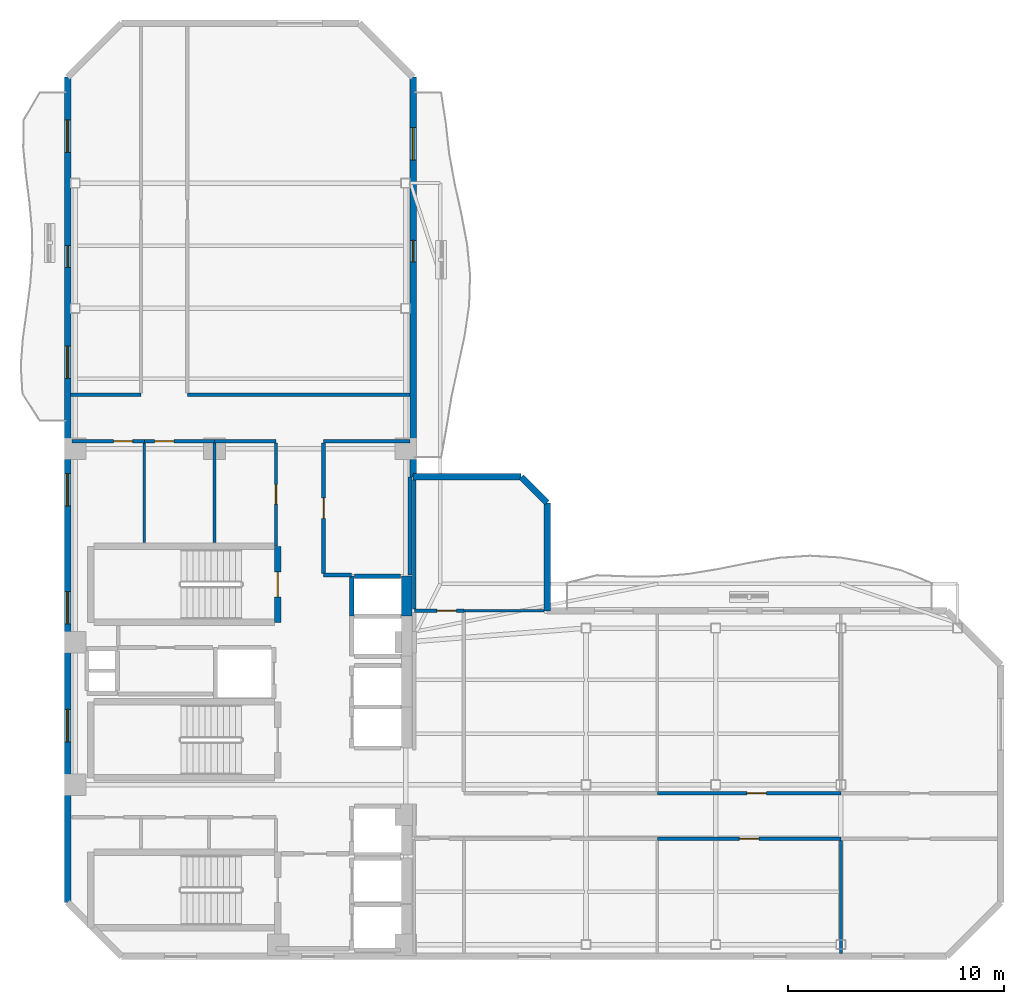
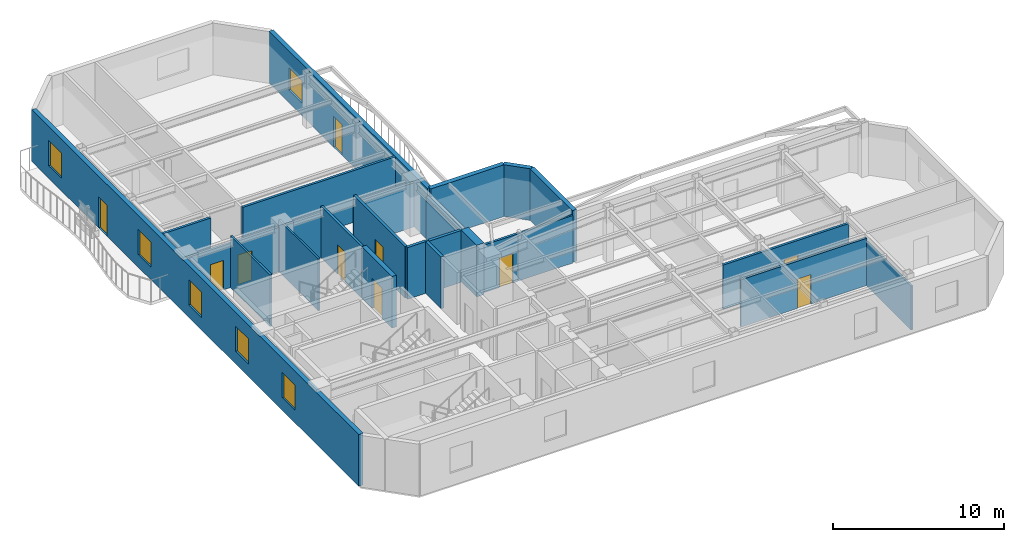
# One storey, part 4 of 8: 27 walls, 10 doors, 6 windows, 16 openings.
"""IFC4 building model written with IfcOpenShell, lengths in metres."""

from ifc_helpers import new_model, si_unit, direction, frame, frame_2d, origin, place, context, subcontext, project, spatial, rectangle, extrude, material, layer, layer_set, type_object, element, fill, save


model = new_model("IFC4")

# Units and contexts
model_context = context("Model", 3, precision=1e-05, world=origin(), true_north=direction((0.0, 1.0)))
body_context = subcontext(model_context, "Body", "Model", "MODEL_VIEW")
ifc_project = project(units=[si_unit("LENGTHUNIT", "METRE"), si_unit("AREAUNIT", "SQUARE_METRE"), si_unit("VOLUMEUNIT", "CUBIC_METRE"), si_unit("PLANEANGLEUNIT", "RADIAN"), si_unit("MASSUNIT", "GRAM", prefix="KILO")], contexts=[model_context])

# Site, building, storey
site_placement = place(None, origin())
site = spatial("IfcSite", under=ifc_project, at=site_placement, CompositionType="ELEMENT")
building_placement = place(site_placement, origin())
building = spatial("IfcBuilding", under=site, at=building_placement, Name="Mawjaban Terraces University", CompositionType="ELEMENT")
storey_placement = place(building_placement, frame((0.0, 0.0, 218.699951171875)))
storey = spatial("IfcBuildingStorey", under=building, at=storey_placement, Name="L53", CompositionType="ELEMENT", Elevation=218.699951171875)

# Walls
ifc_material_1 = material(Name="Acoustic masonry blockwork", Category="masonry")
ifc_layer_1 = layer(ifc_material_1, 0.179931640625)
ifc_layer_set_1 = layer_set([ifc_layer_1], Name="Acoustic masonry blockwork")
wall_type_1 = type_object("IfcWallType", Name="AcousticStudioWall_180", PredefinedType="PARTITIONING", material=ifc_layer_set_1)
wall_1_placement = place(storey_placement, frame((33.85009765625, 17.64990234375, 0.0), z_axis=(0.0, 0.0, 1.0), x_axis=(1.0, 0.0, 0.0)))
element("IfcWall", 1, at=wall_1_placement, inside=storey, type_object=wall_type_1, Name="L53 Graduate Research Collaboration Studio Partition 11", PredefinedType="PARTITIONING", context=body_context, shape_type="SweptSolid", body=[
    extrude(rectangle(XDim=1.2998046875, YDim=0.179931640625, at=frame_2d((0.64990234375, 0.0))), origin(), (0.0, 0.0, 1.0), 3.68994140625),
])
wall_2_placement = place(storey_placement, frame((37.85009765625, 23.85009765625, 0.0), z_axis=(0.0, 0.0, 1.0), x_axis=(-1.0, 0.0, 0.0)))
element("IfcWall", 2, at=wall_2_placement, inside=storey, type_object=wall_type_1, Name="L53 Graduate Research Collaboration Studio Partition 13", PredefinedType="PARTITIONING", context=body_context, shape_type="SweptSolid", body=[
    extrude(rectangle(XDim=4.0, YDim=0.179931640625, at=frame_2d((2.0, 0.0))), origin(), (0.0, 0.0, 1.0), 3.14599609375),
])

# Wall, opening, door
wall_3_placement = place(storey_placement, frame((33.85009765625, 17.735107421875, 0.0), z_axis=(0.0, 0.0, 1.0), x_axis=(0.0, 1.0, 0.0)))
wall_3 = element("IfcWall", 3, at=wall_3_placement, inside=storey, type_object=wall_type_1, Name="L53 Core North Lift Lobby Partition 33", PredefinedType="PARTITIONING", context=body_context, shape_type="SweptSolid", body=[
    extrude(rectangle(XDim=6.02978515625, YDim=0.179931640625, at=frame_2d((3.014892578125, 0.0))), origin(), (0.0, 0.0, 1.0), 3.68994140625),
])
opening_1_placement = place(wall_3_placement, frame((2.5400390625, 0.0, 0.0)))
opening_1 = element("IfcOpeningElement", 4, at=opening_1_placement, cuts=wall_3, Name="Opening ID-095", PredefinedType="OPENING", context=body_context, shape_type="SweptSolid", body=[
    extrude(rectangle(XDim=0.949951171875, YDim=2.10009765625, at=frame_2d((0.47509765625, 1.050048828125))), frame((0.0, 0.099853515625, 0.0), z_axis=(0.0, -1.0, 0.0), x_axis=(1.0, 0.0, 0.0)), (0.0, 0.0, 1.0), 0.199951171875),
])
ifc_material_2 = material(Name="Powder-coated steel frame and solid acoustic timber leaf", Category="steel")
door_type_1 = type_object("IfcDoorType", Name="StudioDoor_950x2100", OperationType="NOTDEFINED", PredefinedType="DOOR", material=ifc_material_2)
door_1_placement = place(opening_1_placement, origin())
door_1 = element("IfcDoor", 5, at=door_1_placement, inside=storey, type_object=door_type_1, Name="L53 Graduate Research Collaboration Studio Door", OperationType="SINGLE_SWING_LEFT", OverallHeight=2.10009765625, OverallWidth=0.949951171875, PredefinedType="DOOR", context=body_context, shape_type="SweptSolid", body=[
    extrude(rectangle(XDim=0.949951171875, YDim=2.10009765625, at=frame_2d((0.47509765625, 1.050048828125))), frame((0.0, 0.02490234375, 0.0), z_axis=(0.0, -1.0, 0.0), x_axis=(1.0, 0.0, 0.0)), (0.0, 0.0, 1.0), 0.050048828125),
])
fill(opening_1, door_1)

# Walls
wall_4_placement = place(storey_placement, frame((37.85009765625, 17.64990234375, 0.0), z_axis=(0.0, 0.0, 1.0), x_axis=(0.0, 1.0, 0.0)))
element("IfcWall", 6, at=wall_4_placement, inside=storey, type_object=wall_type_1, Name="L53 Graduate Research Collaboration Studio Partition 34", PredefinedType="PARTITIONING", context=body_context, shape_type="SweptSolid", body=[
    extrude(rectangle(XDim=4.550048828125, YDim=0.179931640625, at=frame_2d((2.27490234375, 0.0))), origin(), (0.0, 0.0, 1.0), 3.14599609375),
])
wall_5_placement = place(storey_placement, frame((38.050048828125, 22.054931640625, 0.0), z_axis=(0.0, 0.0, 1.0), x_axis=(0.0, -1.0, 0.0)))
element("IfcWall", 7, at=wall_5_placement, inside=storey, type_object=wall_type_1, Name="L53 Terrace Collaborative Study Room Partition 38", PredefinedType="PARTITIONING", context=body_context, shape_type="SweptSolid", body=[
    extrude(rectangle(XDim=5.97998046875, YDim=0.179931640625, at=frame_2d((2.989990234375, 0.0))), origin(), (0.0, 0.0, 1.0), 3.14599609375),
])
ifc_material_3 = material(Name="Concrete C60/75", Category="concrete")
ifc_layer_2 = layer(ifc_material_3, 0.5)
ifc_layer_set_2 = layer_set([ifc_layer_2], Name="Concrete C60/75")
wall_type_2 = type_object("IfcWallType", Name="CoreShearWall_500", PredefinedType="SHEAR", material=ifc_layer_set_2)
wall_6_placement = place(storey_placement, frame((37.699951171875, 15.75, 0.0), z_axis=(0.0, 0.0, 1.0), x_axis=(0.0, 1.0, 0.0)))
element("IfcWall", 8, at=wall_6_placement, inside=storey, type_object=wall_type_2, Name="L53 Lift OL-2 Hoistway Wall East", PredefinedType="SHEAR", context=body_context, shape_type="SweptSolid", body=[
    extrude(rectangle(XDim=1.85009765625, YDim=0.5, at=frame_2d((0.925048828125, 0.0))), origin(), (0.0, 0.0, 1.0), 3.68994140625),
])
ifc_material_4 = material(Name="Fire-rated gypsum board on steel stud", Category="steel")
ifc_layer_3 = layer(ifc_material_4, 0.159912109375)
ifc_layer_set_3 = layer_set([ifc_layer_3], Name="Fire-rated gypsum board on steel stud")
wall_type_3 = type_object("IfcWallType", Name="CorridorPartition_160", PredefinedType="PARTITIONING", material=ifc_layer_set_3)
wall_7_placement = place(storey_placement, frame((25.39990234375, 26.0, 0.0), z_axis=(0.0, 0.0, 1.0), x_axis=(-1.0, 0.0, 0.0)))
element("IfcWall", 9, at=wall_7_placement, inside=storey, type_object=wall_type_3, Name="L53 North Core Cross-Corridor Partition 5", PredefinedType="PARTITIONING", context=body_context, shape_type="SweptSolid", body=[
    extrude(rectangle(XDim=3.2548828125, YDim=0.159912109375, at=frame_2d((1.62744140625, 0.0))), origin(), (0.0, 0.0, 1.0), 3.68994140625),
])

# Wall, opening, door
wall_8_placement = place(storey_placement, frame((25.550048828125, 23.85009765625, 0.0), z_axis=(0.0, 0.0, 1.0), x_axis=(-1.0, 0.0, 0.0)))
wall_8 = element("IfcWall", 10, at=wall_8_placement, inside=storey, type_object=wall_type_3, Name="L53 Ablution Room Partition 6", PredefinedType="PARTITIONING", context=body_context, shape_type="SweptSolid", body=[
    extrude(rectangle(XDim=3.35009765625, YDim=0.159912109375, at=frame_2d((1.675048828125, 0.0))), origin(), (0.0, 0.0, 1.0), 3.14599609375),
])
opening_2_placement = place(wall_8_placement, frame((0.534912109375, 0.0, 0.0)))
opening_2 = element("IfcOpeningElement", 11, at=opening_2_placement, cuts=wall_8, Name="Opening ID-088", PredefinedType="OPENING", context=body_context, shape_type="SweptSolid", body=[
    extrude(rectangle(XDim=0.8798828125, YDim=2.10009765625, at=frame_2d((0.43994140625, 1.050048828125))), frame((0.0, 0.08984375, 0.0), z_axis=(0.0, -1.0, 0.0), x_axis=(1.0, 0.0, 0.0)), (0.0, 0.0, 1.0), 0.179931640625),
])
door_type_2 = type_object("IfcDoorType", Name="ToiletDoor_880x2100", OperationType="NOTDEFINED", PredefinedType="DOOR", material=ifc_material_2)
door_2_placement = place(opening_2_placement, origin())
door_2 = element("IfcDoor", 12, at=door_2_placement, inside=storey, type_object=door_type_2, Name="L53 Ablution Room Door", OperationType="SINGLE_SWING_LEFT", OverallHeight=2.10009765625, OverallWidth=0.8798828125, PredefinedType="DOOR", context=body_context, shape_type="SweptSolid", body=[
    extrude(rectangle(XDim=0.8798828125, YDim=2.10009765625, at=frame_2d((0.43994140625, 1.050048828125))), frame((0.0, 0.02490234375, 0.0), z_axis=(0.0, -1.0, 0.0), x_axis=(1.0, 0.0, 0.0)), (0.0, 0.0, 1.0), 0.050048828125),
])
fill(opening_2, door_2)

wall_9_placement = place(storey_placement, frame((28.800048828125, 23.85009765625, 0.0), z_axis=(0.0, 0.0, 1.0), x_axis=(-1.0, 0.0, 0.0)))
wall_9 = element("IfcWall", 13, at=wall_9_placement, inside=storey, type_object=wall_type_3, Name="L53 Cleaner Store Partition 8", PredefinedType="PARTITIONING", context=body_context, shape_type="SweptSolid", body=[
    extrude(rectangle(XDim=3.25, YDim=0.159912109375, at=frame_2d((1.625, 0.0))), origin(), (0.0, 0.0, 1.0), 3.14599609375),
])
opening_3_placement = place(wall_9_placement, frame((1.875, 0.0, 0.0)))
opening_3 = element("IfcOpeningElement", 14, at=opening_3_placement, cuts=wall_9, Name="Opening ID-090", PredefinedType="OPENING", context=body_context, shape_type="SweptSolid", body=[
    extrude(rectangle(XDim=0.89990234375, YDim=2.10009765625, at=frame_2d((0.449951171875, 1.050048828125))), frame((0.0, 0.08984375, 0.0), z_axis=(0.0, -1.0, 0.0), x_axis=(1.0, 0.0, 0.0)), (0.0, 0.0, 1.0), 0.179931640625),
])
door_type_3 = type_object("IfcDoorType", Name="OfficeDoor_900x2100", OperationType="NOTDEFINED", PredefinedType="DOOR", material=ifc_material_2)
door_3_placement = place(opening_3_placement, origin())
door_3 = element("IfcDoor", 15, at=door_3_placement, inside=storey, type_object=door_type_3, Name="L53 Cleaner Store Door", OperationType="SINGLE_SWING_RIGHT", OverallHeight=2.10009765625, OverallWidth=0.89990234375, PredefinedType="DOOR", context=body_context, shape_type="SweptSolid", body=[
    extrude(rectangle(XDim=0.89990234375, YDim=2.10009765625, at=frame_2d((0.449951171875, 1.050048828125))), frame((0.0, 0.02490234375, 0.0), z_axis=(0.0, -1.0, 0.0), x_axis=(1.0, 0.0, 0.0)), (0.0, 0.0, 1.0), 0.050048828125),
])
fill(opening_3, door_3)

# Walls
wall_10_placement = place(storey_placement, frame((31.64990234375, 23.85009765625, 0.0), z_axis=(0.0, 0.0, 1.0), x_axis=(-1.0, 0.0, 0.0)))
element("IfcWall", 16, at=wall_10_placement, inside=storey, type_object=wall_type_3, Name="L53 Faculty Academic Resource Office Partition 10", PredefinedType="PARTITIONING", context=body_context, shape_type="SweptSolid", body=[
    extrude(rectangle(XDim=2.849853515625, YDim=0.159912109375, at=frame_2d((1.4248046875, 0.0))), origin(), (0.0, 0.0, 1.0), 3.14599609375),
])
wall_11_placement = place(storey_placement, frame((37.85009765625, 26.0, 0.0), z_axis=(0.0, 0.0, 1.0), x_axis=(-1.0, 0.0, 0.0)))
element("IfcWall", 17, at=wall_11_placement, inside=storey, type_object=wall_type_3, Name="L53 North Core Cross-Corridor Partition 14", PredefinedType="PARTITIONING", context=body_context, shape_type="SweptSolid", body=[
    extrude(rectangle(XDim=10.300048828125, YDim=0.159912109375, at=frame_2d((5.14990234375, 0.0))), origin(), (0.0, 0.0, 1.0), 3.68994140625),
])

# Wall, opening, door
wall_12_placement = place(storey_placement, frame((40.35009765625, 16.0, 0.0), z_axis=(0.0, 0.0, 1.0), x_axis=(-1.0, 0.0, 0.0)))
wall_12 = element("IfcWall", 18, at=wall_12_placement, inside=storey, type_object=wall_type_3, Name="L53 South Spine Spur Link Partition 17", PredefinedType="PARTITIONING", context=body_context, shape_type="SweptSolid", body=[
    extrude(rectangle(XDim=2.300048828125, YDim=0.159912109375, at=frame_2d((1.14990234375, 0.0))), origin(), (0.0, 0.0, 1.0), 3.39013671875),
])
opening_4_placement = place(wall_12_placement, frame((0.35009765625, 0.0, 0.0)))
opening_4 = element("IfcOpeningElement", 19, at=opening_4_placement, cuts=wall_12, Name="Opening ID-090", PredefinedType="OPENING", context=body_context, shape_type="SweptSolid", body=[
    extrude(rectangle(XDim=0.89990234375, YDim=2.10009765625, at=frame_2d((0.449951171875, 1.050048828125))), frame((0.0, 0.08984375, 0.0), z_axis=(0.0, -1.0, 0.0), x_axis=(1.0, 0.0, 0.0)), (0.0, 0.0, 1.0), 0.179931640625),
])
door_4_placement = place(opening_4_placement, origin())
door_4 = element("IfcDoor", 20, at=door_4_placement, inside=storey, type_object=door_type_3, Name="L53 Terrace Collaborative Study Room Door", OperationType="SINGLE_SWING_RIGHT", OverallHeight=2.10009765625, OverallWidth=0.89990234375, PredefinedType="DOOR", context=body_context, shape_type="SweptSolid", body=[
    extrude(rectangle(XDim=0.89990234375, YDim=2.10009765625, at=frame_2d((0.449951171875, 1.050048828125))), frame((0.0, 0.02490234375, 0.0), z_axis=(0.0, -1.0, 0.0), x_axis=(1.0, 0.0, 0.0)), (0.0, 0.0, 1.0), 0.050048828125),
])
fill(opening_4, door_4)

wall_13_placement = place(storey_placement, frame((49.300048828125, 5.449951171875, 0.0), z_axis=(0.0, 0.0, 1.0), x_axis=(1.0, 0.0, 0.0)))
wall_13 = element("IfcWall", 21, at=wall_13_placement, inside=storey, type_object=wall_type_3, Name="L53 South Shifted Academic Corridor Partition 19", PredefinedType="PARTITIONING", context=body_context, shape_type="SweptSolid", body=[
    extrude(rectangle(XDim=8.5, YDim=0.159912109375, at=frame_2d((4.25, 0.0))), origin(), (0.0, 0.0, 1.0), 3.3720703125),
])
opening_5_placement = place(wall_13_placement, frame((3.800048828125, 0.0, 0.0)))
opening_5 = element("IfcOpeningElement", 22, at=opening_5_placement, cuts=wall_13, Name="Opening ID-090", PredefinedType="OPENING", context=body_context, shape_type="SweptSolid", body=[
    extrude(rectangle(XDim=0.89990234375, YDim=2.10009765625, at=frame_2d((0.449951171875, 1.050048828125))), frame((0.0, 0.08984375, 0.0), z_axis=(0.0, -1.0, 0.0), x_axis=(1.0, 0.0, 0.0)), (0.0, 0.0, 1.0), 0.179931640625),
])
door_5_placement = place(opening_5_placement, origin())
door_5 = element("IfcDoor", 23, at=door_5_placement, inside=storey, type_object=door_type_3, Name="L53 Graduate Study Lounge 4 Door", OperationType="SINGLE_SWING_RIGHT", OverallHeight=2.10009765625, OverallWidth=0.89990234375, PredefinedType="DOOR", context=body_context, shape_type="SweptSolid", body=[
    extrude(rectangle(XDim=0.89990234375, YDim=2.10009765625, at=frame_2d((0.449951171875, 1.050048828125))), frame((0.0, 0.02490234375, 0.0), z_axis=(0.0, -1.0, 0.0), x_axis=(1.0, 0.0, 0.0)), (0.0, 0.0, 1.0), 0.050048828125),
])
fill(opening_5, door_5)

wall_14_placement = place(storey_placement, frame((57.800048828125, 7.550048828125, 0.0), z_axis=(0.0, 0.0, 1.0), x_axis=(-1.0, 0.0, 0.0)))
wall_14 = element("IfcWall", 24, at=wall_14_placement, inside=storey, type_object=wall_type_3, Name="L53 South Shifted Academic Corridor Partition 22", PredefinedType="PARTITIONING", context=body_context, shape_type="SweptSolid", body=[
    extrude(rectangle(XDim=8.5, YDim=0.159912109375, at=frame_2d((4.25, 0.0))), origin(), (0.0, 0.0, 1.0), 3.14599609375),
])
opening_6_placement = place(wall_14_placement, frame((3.449951171875, 0.0, 0.0)))
opening_6 = element("IfcOpeningElement", 25, at=opening_6_placement, cuts=wall_14, Name="Opening ID-090", PredefinedType="OPENING", context=body_context, shape_type="SweptSolid", body=[
    extrude(rectangle(XDim=0.89990234375, YDim=2.10009765625, at=frame_2d((0.449951171875, 1.050048828125))), frame((0.0, 0.08984375, 0.0), z_axis=(0.0, -1.0, 0.0), x_axis=(1.0, 0.0, 0.0)), (0.0, 0.0, 1.0), 0.179931640625),
])
door_6_placement = place(opening_6_placement, origin())
door_6 = element("IfcDoor", 26, at=door_6_placement, inside=storey, type_object=door_type_3, Name="L53 Collaborative Study Room 5 Door", OperationType="SINGLE_SWING_LEFT", OverallHeight=2.10009765625, OverallWidth=0.89990234375, PredefinedType="DOOR", context=body_context, shape_type="SweptSolid", body=[
    extrude(rectangle(XDim=0.89990234375, YDim=2.10009765625, at=frame_2d((0.449951171875, 1.050048828125))), frame((0.0, 0.02490234375, 0.0), z_axis=(0.0, -1.0, 0.0), x_axis=(1.0, 0.0, 0.0)), (0.0, 0.0, 1.0), 0.050048828125),
])
fill(opening_6, door_6)

wall_15_placement = place(storey_placement, frame((31.64990234375, 19.010009765625, 0.0), z_axis=(0.0, 0.0, 1.0), x_axis=(0.0, 1.0, 0.0)))
wall_15 = element("IfcWall", 27, at=wall_15_placement, inside=storey, type_object=wall_type_3, Name="L53 Faculty Academic Resource Office Partition 32", PredefinedType="PARTITIONING", context=body_context, shape_type="SweptSolid", body=[
    extrude(rectangle(XDim=4.764892578125, YDim=0.159912109375, at=frame_2d((2.38232421875, 0.0))), origin(), (0.0, 0.0, 1.0), 3.68994140625),
])
opening_7_placement = place(wall_15_placement, frame((1.931884765625, 0.0, 0.0)))
opening_7 = element("IfcOpeningElement", 28, at=opening_7_placement, cuts=wall_15, Name="Opening ID-090", PredefinedType="OPENING", context=body_context, shape_type="SweptSolid", body=[
    extrude(rectangle(XDim=0.89990234375, YDim=2.10009765625, at=frame_2d((0.449951171875, 1.050048828125))), frame((0.0, 0.08984375, 0.0), z_axis=(0.0, -1.0, 0.0), x_axis=(1.0, 0.0, 0.0)), (0.0, 0.0, 1.0), 0.179931640625),
])
door_7_placement = place(opening_7_placement, origin())
door_7 = element("IfcDoor", 29, at=door_7_placement, inside=storey, type_object=door_type_3, Name="L53 Faculty Academic Resource Office Door", OperationType="SINGLE_SWING_RIGHT", OverallHeight=2.10009765625, OverallWidth=0.89990234375, PredefinedType="DOOR", context=body_context, shape_type="SweptSolid", body=[
    extrude(rectangle(XDim=0.89990234375, YDim=2.10009765625, at=frame_2d((0.449951171875, 1.050048828125))), frame((0.0, 0.02490234375, 0.0), z_axis=(0.0, -1.0, 0.0), x_axis=(1.0, 0.0, 0.0)), (0.0, 0.0, 1.0), 0.050048828125),
])
fill(opening_7, door_7)

# Walls
ifc_material_5 = material(Name="Insulated terracotta rainscreen on concrete backup C40/50", Category="masonry")
ifc_layer_4 = layer(ifc_material_5, 0.300048828125)
ifc_layer_set_4 = layer_set([ifc_layer_4], Name="Insulated terracotta rainscreen on concrete backup C40/50")
wall_type_4 = type_object("IfcWallType", Name="ExtTerracottaWall_300", PredefinedType="SOLIDWALL", material=ifc_layer_set_4)
wall_16_placement = place(storey_placement, frame((44.199951171875, 16.0, 0.0), z_axis=(0.0, 0.0, 1.0), x_axis=(0.0, 1.0, 0.0)))
element("IfcWall", 30, at=wall_16_placement, inside=storey, type_object=wall_type_4, Name="L53 Exterior Terracotta Wall 6", PredefinedType="SOLIDWALL", context=body_context, shape_type="SweptSolid", body=[
    extrude(rectangle(XDim=5.0, YDim=0.300048828125, at=frame_2d((2.5, 0.0))), origin(), (0.0, 0.0, 1.0), 3.68994140625),
])
wall_17_placement = place(storey_placement, frame((44.199951171875, 21.0, 0.0), z_axis=(0.0, 0.0, 1.0), x_axis=(-0.707106781187, 0.707106781187, 0.0)))
element("IfcWall", 31, at=wall_17_placement, inside=storey, type_object=wall_type_4, Name="L53 Exterior Terracotta Wall 7", PredefinedType="SOLIDWALL", context=body_context, shape_type="SweptSolid", body=[
    extrude(rectangle(XDim=1.697021484375, YDim=0.300048828125, at=frame_2d((0.8486328125, 0.0))), origin(), (0.0, 0.0, 1.0), 3.68994140625),
])
wall_18_placement = place(storey_placement, frame((43.0, 22.199951171875, 0.0), z_axis=(0.0, 0.0, 1.0), x_axis=(-1.0, 0.0, 0.0)))
element("IfcWall", 32, at=wall_18_placement, inside=storey, type_object=wall_type_4, Name="L53 Exterior Terracotta Wall 8", PredefinedType="SOLIDWALL", context=body_context, shape_type="SweptSolid", body=[
    extrude(rectangle(XDim=5.0, YDim=0.300048828125, at=frame_2d((2.5, 0.0))), origin(), (0.0, 0.0, 1.0), 3.68994140625),
])

# Wall, openings, door, window
wall_19_placement = place(storey_placement, frame((38.0, 22.199951171875, 0.0), z_axis=(0.0, 0.0, 1.0), x_axis=(0.0, 1.0, 0.0)))
wall_19 = element("IfcWall", 33, at=wall_19_placement, inside=storey, type_object=wall_type_4, Name="L53 Exterior Terracotta Wall 9", PredefinedType="SOLIDWALL", context=body_context, shape_type="SweptSolid", body=[
    extrude(rectangle(XDim=18.5, YDim=0.300048828125, at=frame_2d((9.25, 0.0))), origin(), (0.0, 0.0, 1.0), 3.68994140625),
])
opening_8_placement = place(wall_19_placement, frame((9.949951171875, 0.0, 0.0)))
opening_8 = element("IfcOpeningElement", 34, at=opening_8_placement, cuts=wall_19, Name="Opening BD-100", PredefinedType="OPENING", context=body_context, shape_type="SweptSolid", body=[
    extrude(rectangle(XDim=1.0, YDim=2.199951171875, at=frame_2d((0.5, 1.10009765625))), frame((0.0, 0.159912109375, 0.0), z_axis=(0.0, -1.0, 0.0), x_axis=(1.0, 0.0, 0.0)), (0.0, 0.0, 1.0), 0.320068359375),
])
opening_9_placement = place(wall_19_placement, frame((14.6669921875, 0.0, 0.89990234375)))
opening_9 = element("IfcOpeningElement", 35, at=opening_9_placement, cuts=wall_19, Name="Opening W-02", PredefinedType="OPENING", context=body_context, shape_type="SweptSolid", body=[
    extrude(rectangle(XDim=1.5, YDim=1.60009765625, at=frame_2d((0.75, 0.800048828125))), frame((0.0, 0.159912109375, 0.0), z_axis=(0.0, -1.0, 0.0), x_axis=(1.0, 0.0, 0.0)), (0.0, 0.0, 1.0), 0.320068359375),
])
ifc_material_6 = material(Name="Thermally broken anodised aluminium and laminated safety glass", Category="aluminium")
door_type_4 = type_object("IfcDoorType", Name="BalconyGlazedDoor_1000x2200", OperationType="NOTDEFINED", PredefinedType="DOOR", material=ifc_material_6)
door_8_placement = place(opening_8_placement, origin())
door_8 = element("IfcDoor", 36, at=door_8_placement, inside=storey, type_object=door_type_4, Name="L53 Balcony Access Door inner_east", OperationType="SINGLE_SWING_RIGHT", OverallHeight=2.199951171875, OverallWidth=1.0, PredefinedType="DOOR", context=body_context, shape_type="SweptSolid", body=[
    extrude(rectangle(XDim=1.0, YDim=2.199951171875, at=frame_2d((0.5, 1.10009765625))), frame((0.0, 0.02490234375, 0.0), z_axis=(0.0, -1.0, 0.0), x_axis=(1.0, 0.0, 0.0)), (0.0, 0.0, 1.0), 0.050048828125),
])
fill(opening_8, door_8)
ifc_material_7 = material(Name="Low-E solar-control double glazing in thermally broken aluminium frame", Category="aluminium")
window_type_1 = type_object("IfcWindowType", Name="Win_1500x1600", PartitioningType="SINGLE_PANEL", PredefinedType="WINDOW", material=ifc_material_7)
window_1_placement = place(opening_9_placement, origin())
window_1 = element("IfcWindow", 37, at=window_1_placement, inside=storey, type_object=window_type_1, Name="L53 Facade Window 9.3", OverallHeight=1.60009765625, OverallWidth=1.5, PartitioningType="SINGLE_PANEL", PredefinedType="WINDOW", context=body_context, shape_type="SweptSolid", body=[
    extrude(rectangle(XDim=1.5, YDim=1.60009765625, at=frame_2d((0.75, 0.800048828125))), frame((0.0, 0.030029296875, 0.0), z_axis=(0.0, -1.0, 0.0), x_axis=(1.0, 0.0, 0.0)), (0.0, 0.0, 1.0), 0.06005859375),
])
fill(opening_9, window_1)

# Wall, openings, door, windows
wall_20_placement = place(storey_placement, frame((22.0, 40.699951171875, 0.0), z_axis=(0.0, 0.0, 1.0), x_axis=(0.0, -1.0, 0.0)))
wall_20 = element("IfcWall", 38, at=wall_20_placement, inside=storey, type_object=wall_type_4, Name="L53 Exterior Terracotta Wall 13", PredefinedType="SOLIDWALL", context=body_context, shape_type="SweptSolid", body=[
    extrude(rectangle(XDim=38.199951171875, YDim=0.300048828125, at=frame_2d((19.10009765625, 0.0))), origin(), (0.0, 0.0, 1.0), 3.68994140625),
])
opening_10_placement = place(wall_20_placement, frame((7.800048828125, 0.0, 0.0)))
opening_10 = element("IfcOpeningElement", 39, at=opening_10_placement, cuts=wall_20, Name="Opening BD-100", PredefinedType="OPENING", context=body_context, shape_type="SweptSolid", body=[
    extrude(rectangle(XDim=1.0, YDim=2.199951171875, at=frame_2d((0.5, 1.10009765625))), frame((0.0, 0.159912109375, 0.0), z_axis=(0.0, -1.0, 0.0), x_axis=(1.0, 0.0, 0.0)), (0.0, 0.0, 1.0), 0.320068359375),
])
opening_11_placement = place(wall_20_placement, frame((1.97900390625, 0.0, 0.89990234375)))
opening_11 = element("IfcOpeningElement", 40, at=opening_11_placement, cuts=wall_20, Name="Opening W-06", PredefinedType="OPENING", context=body_context, shape_type="SweptSolid", body=[
    extrude(rectangle(XDim=1.5, YDim=1.800048828125, at=frame_2d((0.75, 0.89990234375))), frame((0.0, 0.159912109375, 0.0), z_axis=(0.0, -1.0, 0.0), x_axis=(1.0, 0.0, 0.0)), (0.0, 0.0, 1.0), 0.320068359375),
])
opening_12_placement = place(wall_20_placement, frame((12.443115234375, 0.0, 0.89990234375)))
opening_12 = element("IfcOpeningElement", 41, at=opening_12_placement, cuts=wall_20, Name="Opening W-06", PredefinedType="OPENING", context=body_context, shape_type="SweptSolid", body=[
    extrude(rectangle(XDim=1.5, YDim=1.800048828125, at=frame_2d((0.75, 0.89990234375))), frame((0.0, 0.159912109375, 0.0), z_axis=(0.0, -1.0, 0.0), x_axis=(1.0, 0.0, 0.0)), (0.0, 0.0, 1.0), 0.320068359375),
])
opening_13_placement = place(wall_20_placement, frame((18.35009765625, 0.0, 0.89990234375)))
opening_13 = element("IfcOpeningElement", 42, at=opening_13_placement, cuts=wall_20, Name="Opening W-06", PredefinedType="OPENING", context=body_context, shape_type="SweptSolid", body=[
    extrude(rectangle(XDim=1.5, YDim=1.800048828125, at=frame_2d((0.75, 0.89990234375))), frame((0.0, 0.159912109375, 0.0), z_axis=(0.0, -1.0, 0.0), x_axis=(1.0, 0.0, 0.0)), (0.0, 0.0, 1.0), 0.320068359375),
])
opening_14_placement = place(wall_20_placement, frame((23.806884765625, 0.0, 0.89990234375)))
opening_14 = element("IfcOpeningElement", 43, at=opening_14_placement, cuts=wall_20, Name="Opening W-06", PredefinedType="OPENING", context=body_context, shape_type="SweptSolid", body=[
    extrude(rectangle(XDim=1.5, YDim=1.800048828125, at=frame_2d((0.75, 0.89990234375))), frame((0.0, 0.159912109375, 0.0), z_axis=(0.0, -1.0, 0.0), x_axis=(1.0, 0.0, 0.0)), (0.0, 0.0, 1.0), 0.320068359375),
])
opening_15_placement = place(wall_20_placement, frame((29.263916015625, 0.0, 0.89990234375)))
opening_15 = element("IfcOpeningElement", 44, at=opening_15_placement, cuts=wall_20, Name="Opening W-06", PredefinedType="OPENING", context=body_context, shape_type="SweptSolid", body=[
    extrude(rectangle(XDim=1.5, YDim=1.800048828125, at=frame_2d((0.75, 0.89990234375))), frame((0.0, 0.159912109375, 0.0), z_axis=(0.0, -1.0, 0.0), x_axis=(1.0, 0.0, 0.0)), (0.0, 0.0, 1.0), 0.320068359375),
])
door_9_placement = place(opening_10_placement, origin())
door_9 = element("IfcDoor", 45, at=door_9_placement, inside=storey, type_object=door_type_4, Name="L53 Balcony Access Door west", OperationType="SINGLE_SWING_RIGHT", OverallHeight=2.199951171875, OverallWidth=1.0, PredefinedType="DOOR", context=body_context, shape_type="SweptSolid", body=[
    extrude(rectangle(XDim=1.0, YDim=2.199951171875, at=frame_2d((0.5, 1.10009765625))), frame((0.0, 0.02490234375, 0.0), z_axis=(0.0, -1.0, 0.0), x_axis=(1.0, 0.0, 0.0)), (0.0, 0.0, 1.0), 0.050048828125),
])
fill(opening_10, door_9)
window_type_2 = type_object("IfcWindowType", Name="Win_1500x1800", PartitioningType="SINGLE_PANEL", PredefinedType="WINDOW", material=ifc_material_7)
window_2_placement = place(opening_11_placement, origin())
window_2 = element("IfcWindow", 46, at=window_2_placement, inside=storey, type_object=window_type_2, Name="L53 Facade Window 13.1", OverallHeight=1.800048828125, OverallWidth=1.5, PartitioningType="SINGLE_PANEL", PredefinedType="WINDOW", context=body_context, shape_type="SweptSolid", body=[
    extrude(rectangle(XDim=1.5, YDim=1.800048828125, at=frame_2d((0.75, 0.89990234375))), frame((0.0, 0.030029296875, 0.0), z_axis=(0.0, -1.0, 0.0), x_axis=(1.0, 0.0, 0.0)), (0.0, 0.0, 1.0), 0.06005859375),
])
fill(opening_11, window_2)
window_3_placement = place(opening_12_placement, origin())
window_3 = element("IfcWindow", 47, at=window_3_placement, inside=storey, type_object=window_type_2, Name="L53 Facade Window 13.3", OverallHeight=1.800048828125, OverallWidth=1.5, PartitioningType="SINGLE_PANEL", PredefinedType="WINDOW", context=body_context, shape_type="SweptSolid", body=[
    extrude(rectangle(XDim=1.5, YDim=1.800048828125, at=frame_2d((0.75, 0.89990234375))), frame((0.0, 0.030029296875, 0.0), z_axis=(0.0, -1.0, 0.0), x_axis=(1.0, 0.0, 0.0)), (0.0, 0.0, 1.0), 0.06005859375),
])
fill(opening_12, window_3)
window_4_placement = place(opening_13_placement, origin())
window_4 = element("IfcWindow", 48, at=window_4_placement, inside=storey, type_object=window_type_2, Name="L53 Facade Window 13.4", OverallHeight=1.800048828125, OverallWidth=1.5, PartitioningType="SINGLE_PANEL", PredefinedType="WINDOW", context=body_context, shape_type="SweptSolid", body=[
    extrude(rectangle(XDim=1.5, YDim=1.800048828125, at=frame_2d((0.75, 0.89990234375))), frame((0.0, 0.030029296875, 0.0), z_axis=(0.0, -1.0, 0.0), x_axis=(1.0, 0.0, 0.0)), (0.0, 0.0, 1.0), 0.06005859375),
])
fill(opening_13, window_4)
window_5_placement = place(opening_14_placement, origin())
window_5 = element("IfcWindow", 49, at=window_5_placement, inside=storey, type_object=window_type_2, Name="L53 Facade Window 13.5", OverallHeight=1.800048828125, OverallWidth=1.5, PartitioningType="SINGLE_PANEL", PredefinedType="WINDOW", context=body_context, shape_type="SweptSolid", body=[
    extrude(rectangle(XDim=1.5, YDim=1.800048828125, at=frame_2d((0.75, 0.89990234375))), frame((0.0, 0.030029296875, 0.0), z_axis=(0.0, -1.0, 0.0), x_axis=(1.0, 0.0, 0.0)), (0.0, 0.0, 1.0), 0.06005859375),
])
fill(opening_14, window_5)
window_6_placement = place(opening_15_placement, origin())
window_6 = element("IfcWindow", 50, at=window_6_placement, inside=storey, type_object=window_type_2, Name="L53 Facade Window 13.6", OverallHeight=1.800048828125, OverallWidth=1.5, PartitioningType="SINGLE_PANEL", PredefinedType="WINDOW", context=body_context, shape_type="SweptSolid", body=[
    extrude(rectangle(XDim=1.5, YDim=1.800048828125, at=frame_2d((0.75, 0.89990234375))), frame((0.0, 0.030029296875, 0.0), z_axis=(0.0, -1.0, 0.0), x_axis=(1.0, 0.0, 0.0)), (0.0, 0.0, 1.0), 0.06005859375),
])
fill(opening_15, window_6)

# Walls
ifc_material_8 = material(Name="Concrete C40/50", Category="concrete")
ifc_layer_5 = layer(ifc_material_8, 0.199951171875)
ifc_layer_set_5 = layer_set([ifc_layer_5], Name="Concrete C40/50")
wall_type_5 = type_object("IfcWallType", Name="FireLobbyWall_200", PredefinedType="SOLIDWALL", material=ifc_layer_set_5)
wall_21_placement = place(storey_placement, frame((35.14990234375, 17.60009765625, 0.0), z_axis=(0.0, 0.0, 1.0), x_axis=(0.0, -1.0, 0.0)))
element("IfcWall", 51, at=wall_21_placement, inside=storey, type_object=wall_type_5, Name="L53 Lift OL-2 Hoistway Wall West", PredefinedType="SOLIDWALL", context=body_context, shape_type="SweptSolid", body=[
    extrude(rectangle(XDim=1.85009765625, YDim=0.199951171875, at=frame_2d((0.925048828125, 0.0))), origin(), (0.0, 0.0, 1.0), 3.68994140625),
])
wall_22_placement = place(storey_placement, frame((37.419921875, 17.60009765625, 0.0), z_axis=(0.0, 0.0, 1.0), x_axis=(-1.0, 0.0, 0.0)))
element("IfcWall", 52, at=wall_22_placement, inside=storey, type_object=wall_type_5, Name="L53 Lift OL-2 Hoistway Wall North", PredefinedType="SOLIDWALL", context=body_context, shape_type="SweptSolid", body=[
    extrude(rectangle(XDim=2.139892578125, YDim=0.199951171875, at=frame_2d((1.06982421875, 0.0))), origin(), (0.0, 0.0, 1.0), 3.68994140625),
])
ifc_material_9 = material(Name="Gypsum plasterboard on steel stud", Category="steel")
ifc_layer_6 = layer(ifc_material_9, 0.125)
ifc_layer_set_6 = layer_set([ifc_layer_6], Name="Gypsum plasterboard on steel stud")
wall_type_6 = type_object("IfcWallType", Name="OfficePartition_125", PredefinedType="PARTITIONING", material=ifc_layer_set_6)
wall_23_placement = place(storey_placement, frame((40.35009765625, 16.0, 0.0), z_axis=(0.0, 0.0, 1.0), x_axis=(1.0, 0.0, 0.0)))
element("IfcWall", 53, at=wall_23_placement, inside=storey, type_object=wall_type_6, Name="L53 Terrace Collaborative Study Room Partition 18", PredefinedType="PARTITIONING", context=body_context, shape_type="SweptSolid", body=[
    extrude(rectangle(XDim=3.704833984375, YDim=0.125, at=frame_2d((1.8525390625, 0.0))), origin(), (0.0, 0.0, 1.0), 3.39013671875),
])
wall_24_placement = place(storey_placement, frame((28.800048828125, 23.77490234375, 0.0), z_axis=(0.0, 0.0, 1.0), x_axis=(0.0, -1.0, 0.0)))
element("IfcWall", 54, at=wall_24_placement, inside=storey, type_object=wall_type_6, Name="L53 Faculty Academic Resource Office Partition 30", PredefinedType="PARTITIONING", context=body_context, shape_type="SweptSolid", body=[
    extrude(rectangle(XDim=4.614990234375, YDim=0.125, at=frame_2d((2.3076171875, 0.0))), origin(), (0.0, 0.0, 1.0), 3.68994140625),
])
wall_25_placement = place(storey_placement, frame((57.800048828125, 0.14501953125, 0.0), z_axis=(0.0, 0.0, 1.0), x_axis=(0.0, 1.0, 0.0)))
element("IfcWall", 55, at=wall_25_placement, inside=storey, type_object=wall_type_6, Name="L53 Graduate Study Lounge 4 Partition 43", PredefinedType="PARTITIONING", context=body_context, shape_type="SweptSolid", body=[
    extrude(rectangle(XDim=5.22998046875, YDim=0.125, at=frame_2d((2.614990234375, 0.0))), origin(), (0.0, 0.0, 1.0), 3.14599609375),
])

# Wall, opening, door
ifc_layer_7 = layer(ifc_material_3, 0.300048828125)
ifc_layer_set_7 = layer_set([ifc_layer_7], Name="Concrete C60/75")
wall_type_7 = type_object("IfcWallType", Name="StairShaftWall_300", PredefinedType="SHEAR", material=ifc_layer_set_7)
wall_26_placement = place(storey_placement, frame((31.72998046875, 15.469970703125, 0.0), z_axis=(0.0, 0.0, 1.0), x_axis=(0.0, 1.0, 0.0)))
wall_26 = element("IfcWall", 56, at=wall_26_placement, inside=storey, type_object=wall_type_7, Name="L53 ST-2 Stair Shaft Wall 4", PredefinedType="SHEAR", context=body_context, shape_type="SweptSolid", body=[
    extrude(rectangle(XDim=3.510009765625, YDim=0.300048828125, at=frame_2d((1.7548828125, 0.0))), origin(), (0.0, 0.0, 1.0), 3.68994140625),
])
opening_16_placement = place(wall_26_placement, frame((1.179931640625, 0.0, 0.0)))
opening_16 = element("IfcOpeningElement", 57, at=opening_16_placement, cuts=wall_26, Name="Opening FD-115", PredefinedType="OPENING", context=body_context, shape_type="SweptSolid", body=[
    extrude(rectangle(XDim=1.14990234375, YDim=2.14990234375, at=frame_2d((0.574951171875, 1.074951171875))), frame((0.0, 0.159912109375, 0.0), z_axis=(0.0, -1.0, 0.0), x_axis=(1.0, 0.0, 0.0)), (0.0, 0.0, 1.0), 0.320068359375),
])
ifc_material_10 = material(Name="Powder-coated steel frame and fire-rated steel-faced leaf", Category="steel")
door_type_5 = type_object("IfcDoorType", Name="FireStairDoor_1150x2150", OperationType="NOTDEFINED", PredefinedType="DOOR", material=ifc_material_10)
door_10_placement = place(opening_16_placement, origin())
door_10 = element("IfcDoor", 58, at=door_10_placement, inside=storey, type_object=door_type_5, Name="L53 ST-2 Pressurised Stair Fire Door", OperationType="SINGLE_SWING_RIGHT", OverallHeight=2.14990234375, OverallWidth=1.14990234375, PredefinedType="DOOR", context=body_context, shape_type="SweptSolid", body=[
    extrude(rectangle(XDim=1.14990234375, YDim=2.14990234375, at=frame_2d((0.574951171875, 1.074951171875))), frame((0.0, 0.02490234375, 0.0), z_axis=(0.0, -1.0, 0.0), x_axis=(1.0, 0.0, 0.0)), (0.0, 0.0, 1.0), 0.050048828125),
])
fill(opening_16, door_10)

# Wall
ifc_material_11 = material(Name="Cement-board wet-room partition", Category="masonry")
ifc_layer_8 = layer(ifc_material_11, 0.135009765625)
ifc_layer_set_8 = layer_set([ifc_layer_8], Name="Cement-board wet-room partition")
wall_type_8 = type_object("IfcWallType", Name="WetRoomPartition_135", PredefinedType="PARTITIONING", material=ifc_layer_set_8)
wall_27_placement = place(storey_placement, frame((25.550048828125, 19.159912109375, 0.0), z_axis=(0.0, 0.0, 1.0), x_axis=(0.0, 1.0, 0.0)))
element("IfcWall", 59, at=wall_27_placement, inside=storey, type_object=wall_type_8, Name="L53 Ablution Room Partition 27", PredefinedType="PARTITIONING", context=body_context, shape_type="SweptSolid", body=[
    extrude(rectangle(XDim=4.614990234375, YDim=0.135009765625, at=frame_2d((2.3076171875, 0.0))), origin(), (0.0, 0.0, 1.0), 3.68994140625),
])

save(model, "model.ifc")
